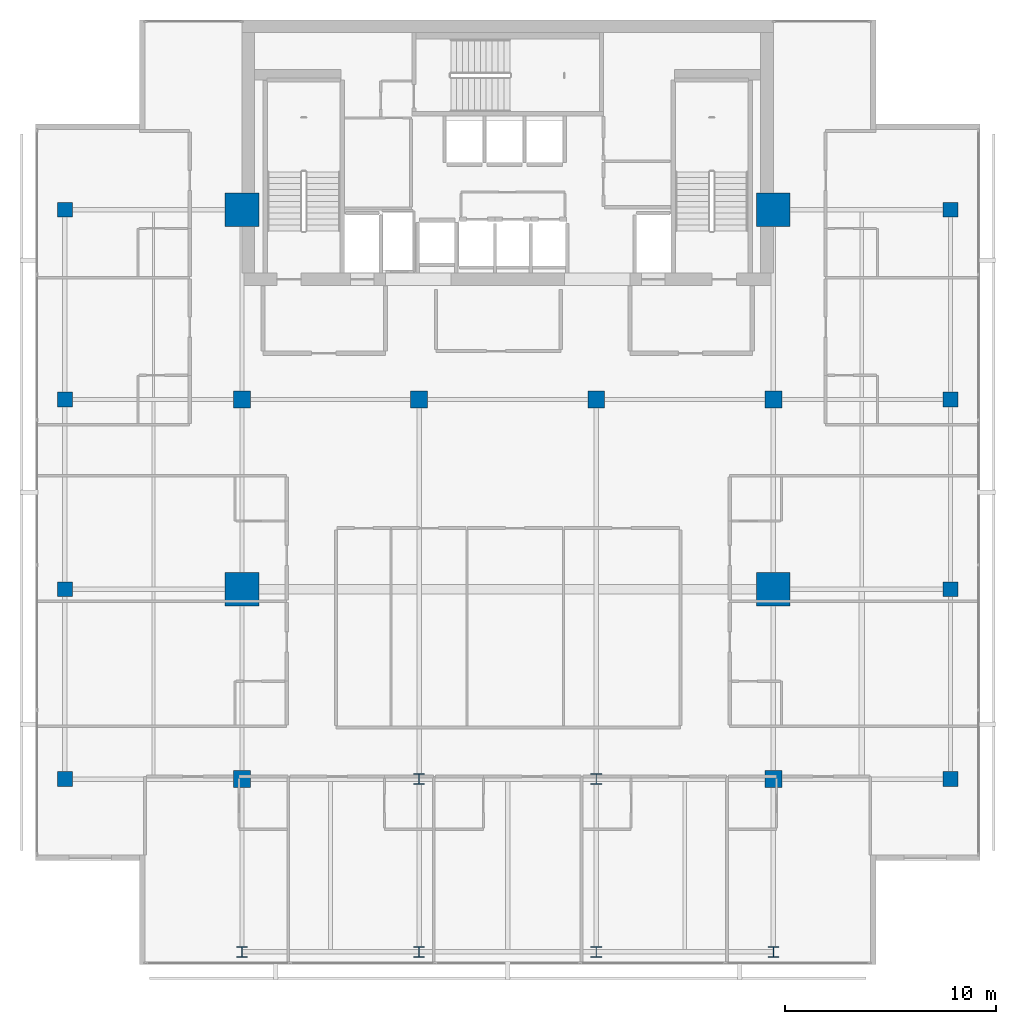
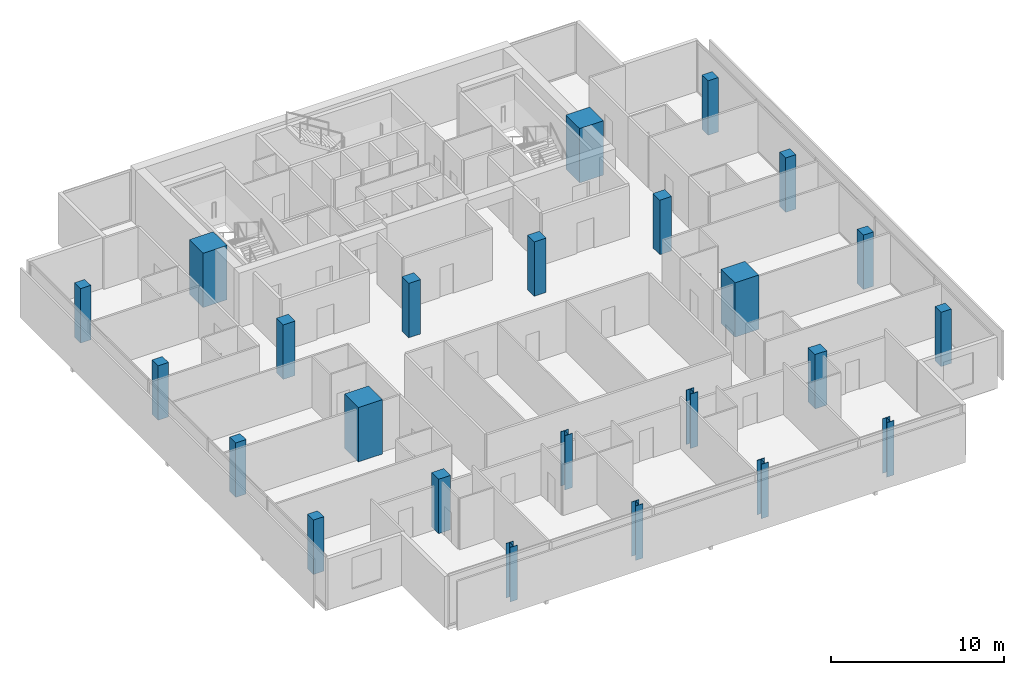
# One storey, part 1 of 25: 24 columns.
"""IFC4 building model written with IfcOpenShell, lengths in metres."""

from ifc_helpers import new_model, si_unit, direction, frame, origin, origin_2d, place, context, subcontext, project, spatial, rectangle, i_section, extrude, material, material_profile, profile_set, type_object, element, save


model = new_model("IFC4")

# Units and contexts
model_context = context("Model", 3, precision=1e-05, world=origin(), true_north=direction((0.0, 1.0)))
body_context = subcontext(model_context, "Body", "Model", "MODEL_VIEW")
ifc_project = project(units=[si_unit("LENGTHUNIT", "METRE"), si_unit("AREAUNIT", "SQUARE_METRE"), si_unit("VOLUMEUNIT", "CUBIC_METRE"), si_unit("PLANEANGLEUNIT", "RADIAN"), si_unit("MASSUNIT", "GRAM", prefix="KILO")], contexts=[model_context])

# Site, building, storey
site_placement = place(None, origin())
site = spatial("IfcSite", under=ifc_project, at=site_placement, CompositionType="ELEMENT")
building_placement = place(site_placement, origin())
building = spatial("IfcBuilding", under=site, at=building_placement, Name="Maruvema Waterfront Hotel and Observation Tower", CompositionType="ELEMENT")
storey_placement = place(building_placement, frame((0.0, 0.0, 270.199951171875)))
storey = spatial("IfcBuildingStorey", under=building, at=storey_placement, Name="L66", CompositionType="ELEMENT", Elevation=270.199951171875)

# Columns
ifc_material_1 = material(Name="Concrete C70/85", Category="concrete")
ifc_material_profile_1 = material_profile(ifc_material_1, rectangle(XDim=1.60009765625, YDim=1.60009765625, at=origin_2d()), Name="MC1600x1600")
ifc_profile_set_1 = profile_set([ifc_material_profile_1], Name="Concrete C70/85")
column_type_1 = type_object("IfcColumnType", Name="Continuous Mega-Column MC1600x1600", PredefinedType="COLUMN", material=ifc_profile_set_1)
for number, where, z_axis, x_axis, name in (
    (1, (25.199951171875, 27.0, 0.0), (0.0, 0.0, 1.0), (1.0, 0.0, 0.0), "L66 Continuous Mega-Column MC-01"),
    (2, (50.39990234375, 27.0, 0.0), (0.0, 0.0, 1.0), (1.0, 0.0, 0.0), "L66 Continuous Mega-Column MC-02"),
    (3, (25.199951171875, 45.0, 0.0), (0.0, 0.0, 1.0), (1.0, 0.0, 0.0), "L66 Continuous Mega-Column MC-03"),
    (4, (50.39990234375, 45.0, 0.0), (0.0, 0.0, 1.0), (1.0, 0.0, 0.0), "L66 Continuous Mega-Column MC-04"),
):
    element("IfcColumn", number, at=place(storey_placement, frame(where, z_axis=z_axis, x_axis=x_axis)), inside=storey, type_object=column_type_1, Name=name, PredefinedType="COLUMN", context=body_context, shape_type="SweptSolid", body=[
        extrude(rectangle(XDim=1.60009765625, YDim=1.60009765625, at=origin_2d()), origin(), (0.0, 0.0, 1.0), 3.85009765625),
    ])
ifc_material_2 = material(Name="Concrete C60/75", Category="concrete")
ifc_material_profile_2 = material_profile(ifc_material_2, rectangle(XDim=0.699951171875, YDim=0.699951171875, at=origin_2d()), Name="RC700x700")
ifc_profile_set_2 = profile_set([ifc_material_profile_2], Name="Concrete C60/75")
column_type_2 = type_object("IfcColumnType", Name="Reinforced Concrete Column RC700x700", PredefinedType="COLUMN", material=ifc_profile_set_2)
for number, where, z_axis, x_axis, name in (
    (5, (16.800048828125, 18.0, 0.0), (0.0, 0.0, 1.0), (1.0, 0.0, 0.0), "L66 Column C-3Y18"),
    (6, (58.800048828125, 18.0, 0.0), (0.0, 0.0, 1.0), (1.0, 0.0, 0.0), "L66 Column C-8Y18"),
    (7, (16.800048828125, 27.0, 0.0), (0.0, 0.0, 1.0), (1.0, 0.0, 0.0), "L66 Column C-3Y27"),
    (8, (58.800048828125, 27.0, 0.0), (0.0, 0.0, 1.0), (1.0, 0.0, 0.0), "L66 Column C-8Y27"),
    (9, (16.800048828125, 36.0, 0.0), (0.0, 0.0, 1.0), (1.0, 0.0, 0.0), "L66 Column C-3Y36"),
    (10, (58.800048828125, 36.0, 0.0), (0.0, 0.0, 1.0), (1.0, 0.0, 0.0), "L66 Column C-8Y36"),
    (11, (16.800048828125, 45.0, 0.0), (0.0, 0.0, 1.0), (1.0, 0.0, 0.0), "L66 Column C-3Y45"),
    (12, (58.800048828125, 45.0, 0.0), (0.0, 0.0, 1.0), (1.0, 0.0, 0.0), "L66 Column C-8Y45"),
):
    element("IfcColumn", number, at=place(storey_placement, frame(where, z_axis=z_axis, x_axis=x_axis)), inside=storey, type_object=column_type_2, Name=name, PredefinedType="COLUMN", context=body_context, shape_type="SweptSolid", body=[
        extrude(rectangle(XDim=0.699951171875, YDim=0.699951171875, at=origin_2d()), origin(), (0.0, 0.0, 1.0), 3.85009765625),
    ])
ifc_material_3 = material(Name="Concrete C60/75", Category="concrete")
ifc_material_profile_3 = material_profile(ifc_material_3, rectangle(XDim=0.800048828125, YDim=0.800048828125, at=origin_2d()), Name="RC800x800")
ifc_profile_set_3 = profile_set([ifc_material_profile_3], Name="Concrete C60/75")
column_type_3 = type_object("IfcColumnType", Name="Reinforced Concrete Column RC800x800", PredefinedType="COLUMN", material=ifc_profile_set_3)
for number, where, z_axis, x_axis, name in (
    (13, (25.199951171875, 36.0, 0.0), (0.0, 0.0, 1.0), (1.0, 0.0, 0.0), "L66 Column C-4E"),
    (14, (33.60009765625, 36.0, 0.0), (0.0, 0.0, 1.0), (1.0, 0.0, 0.0), "L66 Column C-5E"),
    (15, (42.0, 36.0, 0.0), (0.0, 0.0, 1.0), (1.0, 0.0, 0.0), "L66 Column C-6E"),
    (16, (50.39990234375, 36.0, 0.0), (0.0, 0.0, 1.0), (1.0, 0.0, 0.0), "L66 Column C-7E"),
    (17, (25.199951171875, 18.0, 0.0), (0.0, 0.0, 1.0), (1.0, 0.0, 0.0), "L66 Column C-4C"),
    (18, (50.39990234375, 18.0, 0.0), (0.0, 0.0, 1.0), (1.0, 0.0, 0.0), "L66 Column C-7C"),
):
    element("IfcColumn", number, at=place(storey_placement, frame(where, z_axis=z_axis, x_axis=x_axis)), inside=storey, type_object=column_type_3, Name=name, PredefinedType="COLUMN", context=body_context, shape_type="SweptSolid", body=[
        extrude(rectangle(XDim=0.800048828125, YDim=0.800048828125, at=origin_2d()), origin(), (0.0, 0.0, 1.0), 3.85009765625),
    ])
ifc_material_4 = material(Name="Steel ABNT NBR 7007 AR 415 (ASTM A572 Grade 50)", Category="steel")
ifc_material_profile_4 = material_profile(ifc_material_4, i_section(OverallWidth=0.5, OverallDepth=0.5, WebThickness=0.02197265625, FlangeThickness=0.031982421875, at=origin_2d()), Name="CVS500x223")
ifc_profile_set_4 = profile_set([ifc_material_profile_4], Name="Steel ABNT NBR 7007 AR 415 (ASTM A572 Grade 50)")
column_type_4 = type_object("IfcColumnType", Name="Structural Steel Column CVS500x223", PredefinedType="COLUMN", material=ifc_profile_set_4)
for number, where, z_axis, x_axis, name in (
    (19, (33.60009765625, 18.0, 0.0), (0.0, 0.0, 1.0), (1.0, 0.0, 0.0), "L66 Column C-5C"),
    (20, (42.0, 18.0, 0.0), (0.0, 0.0, 1.0), (1.0, 0.0, 0.0), "L66 Column C-6C"),
    (21, (25.199951171875, 9.800048828125, 0.0), (0.0, 0.0, 1.0), (1.0, 0.0, 0.0), "L66 Column C-Z3S4"),
    (22, (33.60009765625, 9.800048828125, 0.0), (0.0, 0.0, 1.0), (1.0, 0.0, 0.0), "L66 Column C-Z3S5"),
    (23, (42.0, 9.800048828125, 0.0), (0.0, 0.0, 1.0), (1.0, 0.0, 0.0), "L66 Column C-Z3S6"),
    (24, (50.39990234375, 9.800048828125, 0.0), (0.0, 0.0, 1.0), (1.0, 0.0, 0.0), "L66 Column C-Z3S7"),
):
    element("IfcColumn", number, at=place(storey_placement, frame(where, z_axis=z_axis, x_axis=x_axis)), inside=storey, type_object=column_type_4, Name=name, PredefinedType="COLUMN", context=body_context, shape_type="SweptSolid", body=[
        extrude(i_section(OverallWidth=0.5, OverallDepth=0.5, WebThickness=0.02197265625, FlangeThickness=0.031982421875, at=origin_2d()), origin(), (0.0, 0.0, 1.0), 3.85009765625),
    ])

save(model, "model.ifc")
